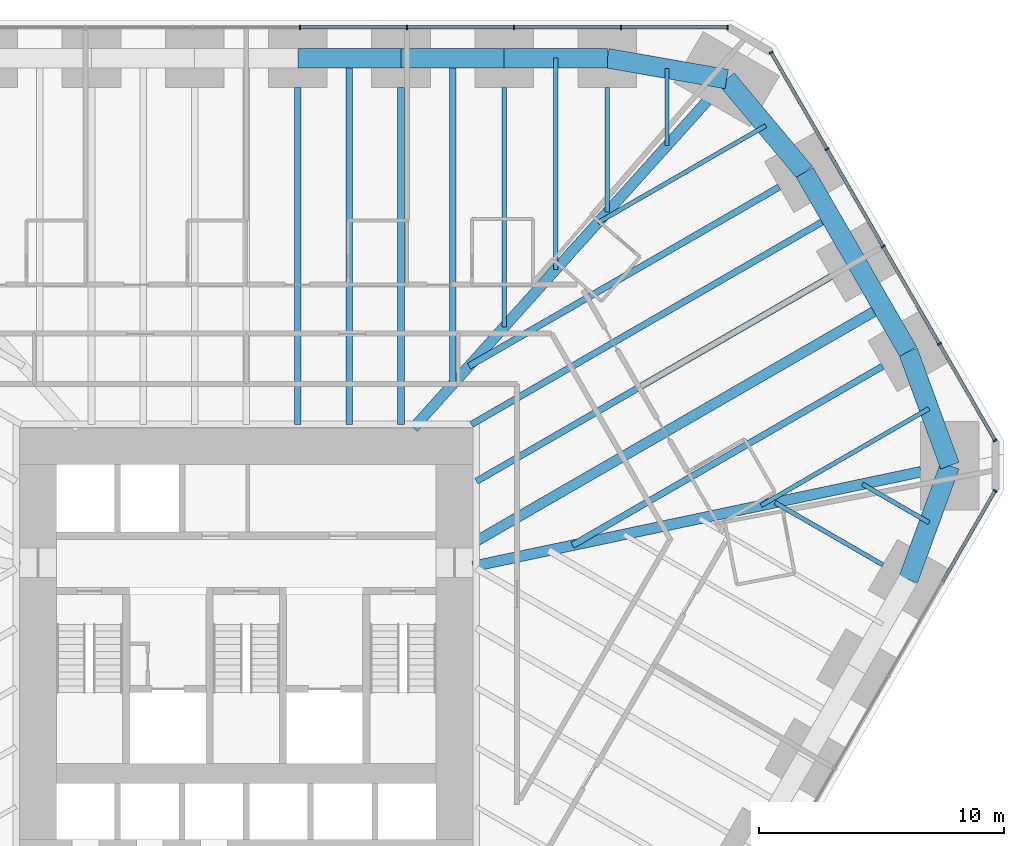
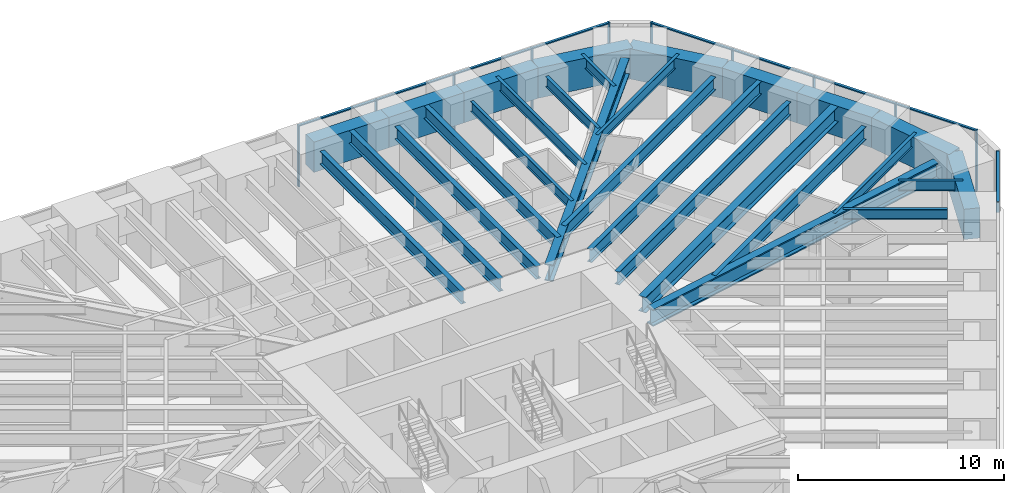
# One storey, part 9 of 17: 28 beams, 20 members, 3 elements without a shape of their own.
"""IFC4 building model written with IfcOpenShell, lengths in metres."""

from ifc_helpers import new_model, si_unit, direction, frame, origin, origin_2d, place, context, subcontext, project, spatial, rectangle, i_section, extrude, material, material_profile, profile_set, type_object, element, aggregate, save


model = new_model("IFC4")

# Units and contexts
model_context = context("Model", 3, precision=1e-05, world=origin(), true_north=direction((0.0, 1.0)))
body_context = subcontext(model_context, "Body", "Model", "MODEL_VIEW")
ifc_project = project(units=[si_unit("LENGTHUNIT", "METRE"), si_unit("AREAUNIT", "SQUARE_METRE"), si_unit("VOLUMEUNIT", "CUBIC_METRE"), si_unit("PLANEANGLEUNIT", "RADIAN"), si_unit("MASSUNIT", "GRAM", prefix="KILO")], contexts=[model_context])

# Site, building, storey
site_placement = place(None, origin())
site = spatial("IfcSite", under=ifc_project, at=site_placement, CompositionType="ELEMENT")
building_placement = place(site_placement, origin())
building = spatial("IfcBuilding", under=site, at=building_placement, Name="Sandreach Pilgrim Tower", CompositionType="ELEMENT")
storey_placement = place(building_placement, frame((0.0, 0.0, 42.0)))
storey = spatial("IfcBuildingStorey", under=building, at=storey_placement, Name="L09", CompositionType="ELEMENT", Elevation=42.0)

# Curtain wall, members
ifc_material_1 = material(Name="Aluminium framed curtain wall", Category="aluminium")
curtain_wall_type = type_object("IfcCurtainWallType", Name="Hostel tower curtain wall", PredefinedType="NOTDEFINED", material=ifc_material_1)
curtain_wall_1_placement = place(storey_placement, origin())
curtain_wall_1 = element("IfcCurtainWall", 1, at=curtain_wall_1_placement, inside=storey, type_object=curtain_wall_type, Name="CW-1 L09 N", PredefinedType="NOTDEFINED")
ifc_material_2 = material(Name="Aluminium extrusion", Category="aluminium")
ifc_material_profile_1 = material_profile(ifc_material_2, rectangle(XDim=0.06494140625, YDim=0.179931640625, at=origin_2d()), Name="CW-1M 65X180")
ifc_profile_set_1 = profile_set([ifc_material_profile_1], Name="Aluminium extrusion")
member_type_1 = type_object("IfcMemberType", Name="CW-1 mullion", PredefinedType="MULLION", material=ifc_profile_set_1)
member_1_placement = place(storey_placement, frame((2.185791015625, 23.94873046875, 0.0), z_axis=(0.0, 0.0, 1.0), x_axis=(1.0, 0.0, 0.0)))
member_1 = element("IfcMember", 2, at=member_1_placement, type_object=member_type_1, Name="CW-1 mullion 6", PredefinedType="MULLION", context=body_context, shape_type="SweptSolid", body=[
    extrude(rectangle(XDim=0.06494140625, YDim=0.179931640625, at=origin_2d()), origin(), (0.0, 0.0, 1.0), 3.639892578125),
])
member_2_placement = place(storey_placement, frame((6.557373046875, 23.94873046875, 0.0), z_axis=(0.0, 0.0, 1.0), x_axis=(1.0, 0.0, 0.0)))
member_2 = element("IfcMember", 3, at=member_2_placement, type_object=member_type_1, Name="CW-1 mullion 7", PredefinedType="MULLION", context=body_context, shape_type="SweptSolid", body=[
    extrude(rectangle(XDim=0.06494140625, YDim=0.179931640625, at=origin_2d()), origin(), (0.0, 0.0, 1.0), 3.639892578125),
])
member_3_placement = place(storey_placement, frame((10.928955078125, 23.94873046875, 0.0), z_axis=(0.0, 0.0, 1.0), x_axis=(1.0, 0.0, 0.0)))
member_3 = element("IfcMember", 4, at=member_3_placement, type_object=member_type_1, Name="CW-1 mullion 8", PredefinedType="MULLION", context=body_context, shape_type="SweptSolid", body=[
    extrude(rectangle(XDim=0.06494140625, YDim=0.179931640625, at=origin_2d()), origin(), (0.0, 0.0, 1.0), 3.639892578125),
])
member_4_placement = place(storey_placement, frame((15.300537109375, 23.94873046875, 0.0), z_axis=(0.0, 0.0, 1.0), x_axis=(1.0, 0.0, 0.0)))
member_4 = element("IfcMember", 5, at=member_4_placement, type_object=member_type_1, Name="CW-1 mullion 9", PredefinedType="MULLION", context=body_context, shape_type="SweptSolid", body=[
    extrude(rectangle(XDim=0.06494140625, YDim=0.179931640625, at=origin_2d()), origin(), (0.0, 0.0, 1.0), 3.639892578125),
])
member_5_placement = place(storey_placement, frame((19.6396484375, 23.94873046875, 0.0), z_axis=(0.0, 0.0, 1.0), x_axis=(1.0, 0.0, 0.0)))
member_5 = element("IfcMember", 6, at=member_5_placement, type_object=member_type_1, Name="CW-1 mullion 10", PredefinedType="MULLION", context=body_context, shape_type="SweptSolid", body=[
    extrude(rectangle(XDim=0.06494140625, YDim=0.179931640625, at=origin_2d()), origin(), (0.0, 0.0, 1.0), 3.639892578125),
])

curtain_wall_2_placement = place(storey_placement, origin())
curtain_wall_2 = element("IfcCurtainWall", 7, at=curtain_wall_2_placement, inside=storey, type_object=curtain_wall_type, Name="CW-1 L09 NE", PredefinedType="NOTDEFINED")
member_6_placement = place(storey_placement, frame((21.42041015625, 22.920654296875, 0.0), z_axis=(0.0, 0.0, 1.0), x_axis=(0.5, -0.866025403784, 0.0)))
member_6 = element("IfcMember", 8, at=member_6_placement, type_object=member_type_1, Name="CW-1 mullion 1", PredefinedType="MULLION", context=body_context, shape_type="SweptSolid", body=[
    extrude(rectangle(XDim=0.06494140625, YDim=0.179931640625, at=origin_2d()), origin(), (0.0, 0.0, 1.0), 3.639892578125),
])
member_7_placement = place(storey_placement, frame((23.697265625, 18.97705078125, 0.0), z_axis=(0.0, 0.0, 1.0), x_axis=(0.5, -0.866025403784, 0.0)))
member_7 = element("IfcMember", 9, at=member_7_placement, type_object=member_type_1, Name="CW-1 mullion 2", PredefinedType="MULLION", context=body_context, shape_type="SweptSolid", body=[
    extrude(rectangle(XDim=0.06494140625, YDim=0.179931640625, at=origin_2d()), origin(), (0.0, 0.0, 1.0), 3.639892578125),
])
member_8_placement = place(storey_placement, frame((25.990234375, 15.00537109375, 0.0), z_axis=(0.0, 0.0, 1.0), x_axis=(0.5, -0.866025403784, 0.0)))
member_8 = element("IfcMember", 10, at=member_8_placement, type_object=member_type_1, Name="CW-1 mullion 3", PredefinedType="MULLION", context=body_context, shape_type="SweptSolid", body=[
    extrude(rectangle(XDim=0.06494140625, YDim=0.179931640625, at=origin_2d()), origin(), (0.0, 0.0, 1.0), 3.639892578125),
])
member_9_placement = place(storey_placement, frame((28.283203125, 11.03369140625, 0.0), z_axis=(0.0, 0.0, 1.0), x_axis=(0.5, -0.866025403784, 0.0)))
member_9 = element("IfcMember", 11, at=member_9_placement, type_object=member_type_1, Name="CW-1 mullion 4", PredefinedType="MULLION", context=body_context, shape_type="SweptSolid", body=[
    extrude(rectangle(XDim=0.06494140625, YDim=0.179931640625, at=origin_2d()), origin(), (0.0, 0.0, 1.0), 3.639892578125),
])
member_10_placement = place(storey_placement, frame((30.56005859375, 7.09033203125, 0.0), z_axis=(0.0, 0.0, 1.0), x_axis=(0.5, -0.866025403784, 0.0)))
member_10 = element("IfcMember", 12, at=member_10_placement, type_object=member_type_1, Name="CW-1 mullion 5", PredefinedType="MULLION", context=body_context, shape_type="SweptSolid", body=[
    extrude(rectangle(XDim=0.06494140625, YDim=0.179931640625, at=origin_2d()), origin(), (0.0, 0.0, 1.0), 3.639892578125),
])

# Curtain wall, member
curtain_wall_3_placement = place(storey_placement, origin())
curtain_wall_3 = element("IfcCurtainWall", 13, at=curtain_wall_3_placement, inside=storey, type_object=curtain_wall_type, Name="CW-1 L09 SE", PredefinedType="NOTDEFINED")
member_11_placement = place(storey_placement, frame((30.56005859375, 5.033935546875, 0.0), z_axis=(0.0, 0.0, 1.0), x_axis=(-0.5, -0.866025403784, 0.0)))
member_11 = element("IfcMember", 14, at=member_11_placement, type_object=member_type_1, Name="CW-1 mullion 1", PredefinedType="MULLION", context=body_context, shape_type="SweptSolid", body=[
    extrude(rectangle(XDim=0.06494140625, YDim=0.179931640625, at=origin_2d()), origin(), (0.0, 0.0, 1.0), 3.639892578125),
])

# Member
ifc_material_3 = material(Name="Aluminium extrusion", Category="aluminium")
ifc_material_profile_2 = material_profile(ifc_material_3, rectangle(XDim=0.139892578125, YDim=0.070068359375, at=origin_2d()), Name="CW-1T 140X70")
ifc_profile_set_2 = profile_set([ifc_material_profile_2], Name="Aluminium extrusion")
member_type_2 = type_object("IfcMemberType", Name="CW-1 transom", PredefinedType="USERDEFINED", material=ifc_profile_set_2)
member_12_placement = place(storey_placement, frame((2.21826171875, 23.94873046875, 3.60498046875), z_axis=(1.0, 0.0, 0.0), x_axis=(0.0, 1.0, 0.0)))
member_12 = element("IfcMember", 15, at=member_12_placement, type_object=member_type_2, Name="CW-1 head transom 6", ObjectType="TRANSOM", PredefinedType="USERDEFINED", context=body_context, shape_type="SweptSolid", body=[
    extrude(rectangle(XDim=0.139892578125, YDim=0.070068359375, at=origin_2d()), origin(), (0.0, 0.0, 1.0), 4.306640625),
])

member_13_placement = place(storey_placement, frame((6.58984375, 23.94873046875, 3.60498046875), z_axis=(1.0, 0.0, 0.0), x_axis=(0.0, 1.0, 0.0)))
member_13 = element("IfcMember", 16, at=member_13_placement, type_object=member_type_2, Name="CW-1 head transom 7", ObjectType="TRANSOM", PredefinedType="USERDEFINED", context=body_context, shape_type="SweptSolid", body=[
    extrude(rectangle(XDim=0.139892578125, YDim=0.070068359375, at=origin_2d()), origin(), (0.0, 0.0, 1.0), 4.306640625),
])

member_14_placement = place(storey_placement, frame((10.96142578125, 23.94873046875, 3.60498046875), z_axis=(1.0, 0.0, 0.0), x_axis=(0.0, 1.0, 0.0)))
member_14 = element("IfcMember", 17, at=member_14_placement, type_object=member_type_2, Name="CW-1 head transom 8", ObjectType="TRANSOM", PredefinedType="USERDEFINED", context=body_context, shape_type="SweptSolid", body=[
    extrude(rectangle(XDim=0.139892578125, YDim=0.070068359375, at=origin_2d()), origin(), (0.0, 0.0, 1.0), 4.306640625),
])

member_15_placement = place(storey_placement, frame((15.3330078125, 23.94873046875, 3.60498046875), z_axis=(1.0, 0.0, 0.0), x_axis=(0.0, 1.0, 0.0)))
member_15 = element("IfcMember", 18, at=member_15_placement, type_object=member_type_2, Name="CW-1 head transom 9", ObjectType="TRANSOM", PredefinedType="USERDEFINED", context=body_context, shape_type="SweptSolid", body=[
    extrude(rectangle(XDim=0.139892578125, YDim=0.070068359375, at=origin_2d()), origin(), (0.0, 0.0, 1.0), 4.274169921875),
])

aggregate(curtain_wall_1, [member_1, member_2, member_3, member_4, member_5, member_12, member_13, member_14, member_15])

member_16_placement = place(storey_placement, frame((21.4365234375, 22.892333984375, 3.60498046875), z_axis=(0.500017500808, -0.866015299452, 0.0), x_axis=(0.866015299452, 0.500017500808, 0.0)))
member_16 = element("IfcMember", 19, at=member_16_placement, type_object=member_type_2, Name="CW-1 head transom 1", ObjectType="TRANSOM", PredefinedType="USERDEFINED", context=body_context, shape_type="SweptSolid", body=[
    extrude(rectangle(XDim=0.139892578125, YDim=0.070068359375, at=origin_2d()), origin(), (0.0, 0.0, 1.0), 4.488525390625),
])

member_17_placement = place(storey_placement, frame((23.71337890625, 18.948974609375, 3.60498046875), z_axis=(0.500001366228, -0.866024614991, 0.0), x_axis=(0.866024614991, 0.500001366228, 0.0)))
member_17 = element("IfcMember", 20, at=member_17_placement, type_object=member_type_2, Name="CW-1 head transom 2", ObjectType="TRANSOM", PredefinedType="USERDEFINED", context=body_context, shape_type="SweptSolid", body=[
    extrude(rectangle(XDim=0.139892578125, YDim=0.070068359375, at=origin_2d()), origin(), (0.0, 0.0, 1.0), 4.52099609375),
])

member_18_placement = place(storey_placement, frame((26.00634765625, 14.977294921875, 3.60498046875), z_axis=(0.500001366228, -0.866024614991, 0.0), x_axis=(0.866024614991, 0.500001366228, 0.0)))
member_18 = element("IfcMember", 21, at=member_18_placement, type_object=member_type_2, Name="CW-1 head transom 3", ObjectType="TRANSOM", PredefinedType="USERDEFINED", context=body_context, shape_type="SweptSolid", body=[
    extrude(rectangle(XDim=0.139892578125, YDim=0.070068359375, at=origin_2d()), origin(), (0.0, 0.0, 1.0), 4.52099609375),
])

member_19_placement = place(storey_placement, frame((28.299560546875, 11.005615234375, 3.60498046875), z_axis=(0.499976706761, -0.866038851724, 0.0), x_axis=(0.866038851724, 0.499976706761, 0.0)))
member_19 = element("IfcMember", 22, at=member_19_placement, type_object=member_type_2, Name="CW-1 head transom 4", ObjectType="TRANSOM", PredefinedType="USERDEFINED", context=body_context, shape_type="SweptSolid", body=[
    extrude(rectangle(XDim=0.139892578125, YDim=0.070068359375, at=origin_2d()), origin(), (0.0, 0.0, 1.0), 4.488525390625),
])

aggregate(curtain_wall_2, [member_6, member_7, member_8, member_9, member_10, member_16, member_17, member_18, member_19])

member_20_placement = place(storey_placement, frame((30.543701171875, 5.005859375, 3.60498046875), z_axis=(-0.499991113271, -0.866030534479, 0.0), x_axis=(0.866030534479, -0.499991113271, 0.0)))
member_20 = element("IfcMember", 23, at=member_20_placement, type_object=member_type_2, Name="CW-1 head transom 1", ObjectType="TRANSOM", PredefinedType="USERDEFINED", context=body_context, shape_type="SweptSolid", body=[
    extrude(rectangle(XDim=0.139892578125, YDim=0.070068359375, at=origin_2d()), origin(), (0.0, 0.0, 1.0), 4.27392578125),
])

aggregate(curtain_wall_3, [member_11, member_20])

# Beams
ifc_material_4 = material(Name="Steel ASTM A992 Grade 50", Category="steel")
ifc_material_profile_3 = material_profile(ifc_material_4, i_section(OverallWidth=0.431884765625, OverallDepth=0.988037109375, WebThickness=0.034423828125, FlangeThickness=0.06201171875, at=origin_2d()), Name="W36X441")
ifc_profile_set_3 = profile_set([ifc_material_profile_3], Name="Steel ASTM A992 Grade 50")
beam_type_1 = type_object("IfcBeamType", Name="Corner girder W36X441", PredefinedType="BEAM", material=ifc_profile_set_3)
beam_1_placement = place(storey_placement, frame((18.8046875, 20.94189453125, 3.14599609375), z_axis=(-0.668127834846, -0.74404650144, 0.0), x_axis=(0.74404650144, -0.668127834846, 0.0)))
element("IfcBeam", 24, at=beam_1_placement, inside=storey, type_object=beam_type_1, Name="BM L09 CG09", PredefinedType="BEAM", context=body_context, shape_type="SweptSolid", body=[
    extrude(i_section(OverallWidth=0.431884765625, OverallDepth=0.988037109375, WebThickness=0.034423828125, FlangeThickness=0.06201171875, at=origin_2d()), origin(), (0.0, 0.0, 1.0), 17.931396484375),
])
ifc_material_5 = material(Name="Steel ASTM A992 Grade 50", Category="steel")
ifc_material_profile_4 = material_profile(ifc_material_5, i_section(OverallWidth=0.436767578125, OverallDepth=1.010986328125, WebThickness=0.040771484375, FlangeThickness=0.073974609375, at=origin_2d()), Name="W36X529")
ifc_profile_set_4 = profile_set([ifc_material_profile_4], Name="Steel ASTM A992 Grade 50")
beam_type_2 = type_object("IfcBeamType", Name="Corner girder W36X529", PredefinedType="BEAM", material=ifc_profile_set_4)
beam_2_placement = place(storey_placement, frame((27.53857421875, 5.814208984375, 3.134521484375), z_axis=(-0.978429884383, -0.206579189045, 0.0), x_axis=(0.206579189045, -0.978429884383, 0.0)))
element("IfcBeam", 25, at=beam_2_placement, inside=storey, type_object=beam_type_2, Name="BM L09 CG13", PredefinedType="BEAM", context=body_context, shape_type="SweptSolid", body=[
    extrude(i_section(OverallWidth=0.436767578125, OverallDepth=1.010986328125, WebThickness=0.040771484375, FlangeThickness=0.073974609375, at=origin_2d()), origin(), (0.0, 0.0, 1.0), 18.691650390625),
])
ifc_material_6 = material(Name="Steel ASTM A992 Grade 50", Category="steel")
ifc_material_profile_5 = material_profile(ifc_material_6, i_section(OverallWidth=0.1787109375, OverallDepth=0.60205078125, WebThickness=0.010986328125, FlangeThickness=0.014892578125, at=origin_2d()), Name="W24X62")
ifc_profile_set_5 = profile_set([ifc_material_profile_5], Name="Steel ASTM A992 Grade 50")
beam_type_3 = type_object("IfcBeamType", Name="Floor beam W24X62", PredefinedType="BEAM", material=ifc_profile_set_5)
beam_3_placement = place(storey_placement, frame((10.52490234375, 21.48876953125, 3.339111328125), z_axis=(0.0, -1.0, 0.0), x_axis=(1.0, 0.0, 0.0)))
element("IfcBeam", 26, at=beam_3_placement, inside=storey, type_object=beam_type_3, Name="BM L09 F07", PredefinedType="BEAM", context=body_context, shape_type="SweptSolid", body=[
    extrude(i_section(OverallWidth=0.1787109375, OverallDepth=0.60205078125, WebThickness=0.010986328125, FlangeThickness=0.014892578125, at=origin_2d()), origin(), (0.0, 0.0, 1.0), 9.767822265625),
])
beam_4_placement = place(storey_placement, frame((14.734619140625, 21.48876953125, 3.339111328125), z_axis=(0.0, -1.0, 0.0), x_axis=(1.0, 0.0, 0.0)))
element("IfcBeam", 27, at=beam_4_placement, inside=storey, type_object=beam_type_3, Name="BM L09 F08", PredefinedType="BEAM", context=body_context, shape_type="SweptSolid", body=[
    extrude(i_section(OverallWidth=0.1787109375, OverallDepth=0.60205078125, WebThickness=0.010986328125, FlangeThickness=0.014892578125, at=origin_2d()), origin(), (0.0, 0.0, 1.0), 5.079345703125),
])
beam_5_placement = place(storey_placement, frame((25.97705078125, 2.016357421875, 3.339111328125), z_axis=(-0.866027897259, 0.49999568115, 0.0), x_axis=(-0.49999568115, -0.866027897259, 0.0)))
element("IfcBeam", 28, at=beam_5_placement, inside=storey, type_object=beam_type_3, Name="BM L09 F14", PredefinedType="BEAM", context=body_context, shape_type="SweptSolid", body=[
    extrude(i_section(OverallWidth=0.1787109375, OverallDepth=0.60205078125, WebThickness=0.010986328125, FlangeThickness=0.014892578125, at=origin_2d()), origin(), (0.0, 0.0, 1.0), 5.0791015625),
])
beam_6_placement = place(storey_placement, frame((12.629638671875, 22.688720703125, 3.339111328125), z_axis=(0.0, -1.0, 0.0), x_axis=(1.0, 0.0, 0.0)))
element("IfcBeam", 29, at=beam_6_placement, inside=storey, type_object=beam_type_3, Name="BM L09 FM07", PredefinedType="BEAM", context=body_context, shape_type="SweptSolid", body=[
    extrude(i_section(OverallWidth=0.1787109375, OverallDepth=0.60205078125, WebThickness=0.010986328125, FlangeThickness=0.014892578125, at=origin_2d()), origin(), (0.0, 0.0, 1.0), 8.62353515625),
])
beam_7_placement = place(storey_placement, frame((17.17041015625, 22.26171875, 3.339111328125), z_axis=(0.0, -1.0, 0.0), x_axis=(1.0, 0.0, 0.0)))
element("IfcBeam", 30, at=beam_7_placement, inside=storey, type_object=beam_type_3, Name="BM L09 FM08", PredefinedType="BEAM", context=body_context, shape_type="SweptSolid", body=[
    extrude(i_section(OverallWidth=0.1787109375, OverallDepth=0.60205078125, WebThickness=0.010986328125, FlangeThickness=0.014892578125, at=origin_2d()), origin(), (0.0, 0.0, 1.0), 3.1396484375),
])
for number, where, z_axis, x_axis, name in (
    (31, (21.197021484375, 19.933349609375, 3.339111328125), (-0.866028778003, -0.499994155636, 0.0), (0.499994155636, -0.866028778003, 0.0), "BM L09 FM09"),
    (32, (27.861328125, 8.390380859375, 3.339111328125), (-0.866028778003, -0.499994155636, 0.0), (0.499994155636, -0.866028778003, 0.0), "BM L09 FM12"),
):
    element("IfcBeam", number, at=place(storey_placement, frame(where, z_axis=z_axis, x_axis=x_axis)), inside=storey, type_object=beam_type_3, Name=name, PredefinedType="BEAM", context=body_context, shape_type="SweptSolid", body=[
        extrude(i_section(OverallWidth=0.1787109375, OverallDepth=0.60205078125, WebThickness=0.010986328125, FlangeThickness=0.014892578125, at=origin_2d()), origin(), (0.0, 0.0, 1.0), 7.90771484375),
    ])
beam_8_placement = place(storey_placement, frame((27.864501953125, 3.7392578125, 3.339111328125), z_axis=(-0.866023718453, 0.500002919068, 0.0), x_axis=(-0.500002919068, -0.866023718453, 0.0)))
element("IfcBeam", 33, at=beam_8_placement, inside=storey, type_object=beam_type_3, Name="BM L09 FM13", PredefinedType="BEAM", context=body_context, shape_type="SweptSolid", body=[
    extrude(i_section(OverallWidth=0.1787109375, OverallDepth=0.60205078125, WebThickness=0.010986328125, FlangeThickness=0.014892578125, at=origin_2d()), origin(), (0.0, 0.0, 1.0), 3.1396484375),
])
ifc_material_7 = material(Name="Steel ASTM A992 Grade 50", Category="steel")
ifc_material_profile_6 = material_profile(ifc_material_7, i_section(OverallWidth=0.2666015625, OverallDepth=0.761962890625, WebThickness=0.014404296875, FlangeThickness=0.021484375, at=origin_2d()), Name="W30X116")
ifc_profile_set_6 = profile_set([ifc_material_profile_6], Name="Steel ASTM A992 Grade 50")
beam_type_4 = type_object("IfcBeamType", Name="Floor beam W30X116", PredefinedType="BEAM", material=ifc_profile_set_6)
for number, where, z_axis, x_axis, name in (
    (34, (2.10498046875, 21.48876953125, 3.259033203125), (0.0, -1.0, 0.0), (1.0, 0.0, 0.0), "BM L09 F05"),
    (35, (6.31494140625, 21.48876953125, 3.259033203125), (0.0, -1.0, 0.0), (1.0, 0.0, 0.0), "BM L09 F06"),
):
    element("IfcBeam", number, at=place(storey_placement, frame(where, z_axis=z_axis, x_axis=x_axis)), inside=storey, type_object=beam_type_4, Name=name, PredefinedType="BEAM", context=body_context, shape_type="SweptSolid", body=[
        extrude(i_section(OverallWidth=0.2666015625, OverallDepth=0.761962890625, WebThickness=0.014404296875, FlangeThickness=0.021484375, at=origin_2d()), origin(), (0.0, 0.0, 1.0), 13.745361328125),
    ])
for number, where, z_axis, x_axis, name in (
    (36, (21.74853515625, 17.43212890625, 3.259033203125), (-0.866020355572, -0.500008743658, 0.0), (0.500008743658, -0.866020355572, 0.0), "BM L09 F10"),
    (37, (25.970947265625, 10.118896484375, 3.259033203125), (-0.866020355572, -0.500008743658, 0.0), (0.500008743658, -0.866020355572, 0.0), "BM L09 F12"),
):
    element("IfcBeam", number, at=place(storey_placement, frame(where, z_axis=z_axis, x_axis=x_axis)), inside=storey, type_object=beam_type_4, Name=name, PredefinedType="BEAM", context=body_context, shape_type="SweptSolid", body=[
        extrude(i_section(OverallWidth=0.2666015625, OverallDepth=0.761962890625, WebThickness=0.014404296875, FlangeThickness=0.021484375, at=origin_2d()), origin(), (0.0, 0.0, 1.0), 14.615966796875),
    ])
beam_9_placement = place(storey_placement, frame((4.2099609375, 22.688720703125, 3.259033203125), z_axis=(0.0, -1.0, 0.0), x_axis=(1.0, 0.0, 0.0)))
element("IfcBeam", 38, at=beam_9_placement, inside=storey, type_object=beam_type_4, Name="BM L09 FM05", PredefinedType="BEAM", context=body_context, shape_type="SweptSolid", body=[
    extrude(i_section(OverallWidth=0.2666015625, OverallDepth=0.761962890625, WebThickness=0.014404296875, FlangeThickness=0.021484375, at=origin_2d()), origin(), (0.0, 0.0, 1.0), 14.9453125),
])
beam_10_placement = place(storey_placement, frame((8.419921875, 22.688720703125, 3.259033203125), z_axis=(0.0, -1.0, 0.0), x_axis=(1.0, 0.0, 0.0)))
element("IfcBeam", 39, at=beam_10_placement, inside=storey, type_object=beam_type_4, Name="BM L09 FM06", PredefinedType="BEAM", context=body_context, shape_type="SweptSolid", body=[
    extrude(i_section(OverallWidth=0.2666015625, OverallDepth=0.761962890625, WebThickness=0.014404296875, FlangeThickness=0.021484375, at=origin_2d()), origin(), (0.0, 0.0, 1.0), 13.311767578125),
])
ifc_material_8 = material(Name="Steel ASTM A992 Grade 50", Category="steel")
ifc_material_profile_7 = material_profile(ifc_material_8, i_section(OverallWidth=0.2666015625, OverallDepth=0.77978515625, WebThickness=0.0166015625, FlangeThickness=0.030029296875, at=origin_2d()), Name="W30X148")
ifc_profile_set_7 = profile_set([ifc_material_profile_7], Name="Steel ASTM A992 Grade 50")
beam_type_5 = type_object("IfcBeamType", Name="Floor beam W30X148", PredefinedType="BEAM", material=ifc_profile_set_7)
beam_11_placement = place(storey_placement, frame((23.85986328125, 13.775390625, 3.25), z_axis=(-0.866031037473, -0.499990242038, 0.0), x_axis=(0.499990242038, -0.866031037473, 0.0)))
element("IfcBeam", 40, at=beam_11_placement, inside=storey, type_object=beam_type_5, Name="BM L09 F11", PredefinedType="BEAM", context=body_context, shape_type="SweptSolid", body=[
    extrude(i_section(OverallWidth=0.2666015625, OverallDepth=0.77978515625, WebThickness=0.0166015625, FlangeThickness=0.030029296875, at=origin_2d()), origin(), (0.0, 0.0, 1.0), 16.704345703125),
])
beam_12_placement = place(storey_placement, frame((23.843505859375, 16.203857421875, 3.25), z_axis=(-0.866027248123, -0.499996805499, 0.0), x_axis=(0.499996805499, -0.866027248123, 0.0)))
element("IfcBeam", 41, at=beam_12_placement, inside=storey, type_object=beam_type_5, Name="BM L09 FM10", PredefinedType="BEAM", context=body_context, shape_type="SweptSolid", body=[
    extrude(i_section(OverallWidth=0.2666015625, OverallDepth=0.77978515625, WebThickness=0.0166015625, FlangeThickness=0.030029296875, at=origin_2d()), origin(), (0.0, 0.0, 1.0), 16.9208984375),
])
ifc_material_9 = material(Name="Steel ASTM A992 Grade 50", Category="steel")
ifc_material_profile_8 = material_profile(ifc_material_9, i_section(OverallWidth=0.419189453125, OverallDepth=0.927001953125, WebThickness=0.019287109375, FlangeThickness=0.031982421875, at=origin_2d()), Name="W36X231")
ifc_profile_set_8 = profile_set([ifc_material_profile_8], Name="Steel ASTM A992 Grade 50")
beam_type_6 = type_object("IfcBeamType", Name="Floor beam W36X231", PredefinedType="BEAM", material=ifc_profile_set_8)
beam_13_placement = place(storey_placement, frame((25.95458984375, 12.547119140625, 3.176513671875), z_axis=(-0.866028474707, -0.499994680968, 0.0), x_axis=(0.499994680968, -0.866028474707, 0.0)))
element("IfcBeam", 42, at=beam_13_placement, inside=storey, type_object=beam_type_6, Name="BM L09 FM11", PredefinedType="BEAM", context=body_context, shape_type="SweptSolid", body=[
    extrude(i_section(OverallWidth=0.419189453125, OverallDepth=0.927001953125, WebThickness=0.019287109375, FlangeThickness=0.031982421875, at=origin_2d()), origin(), (0.0, 0.0, 1.0), 19.123291015625),
])
ifc_material_10 = material(Name="Concrete 10000 psi", Category="concrete")
ifc_material_profile_9 = material_profile(ifc_material_10, rectangle(XDim=0.800048828125, YDim=1.800048828125, at=origin_2d()), Name="RC800X1800")
ifc_profile_set_9 = profile_set([ifc_material_profile_9], Name="Concrete 10000 psi")
beam_type_7 = type_object("IfcBeamType", Name="Spandrel beam RC800X1800", PredefinedType="SPANDREL", material=ifc_profile_set_9)
for number, where, z_axis, x_axis, name in (
    (43, (2.10498046875, 22.688720703125, 2.739990234375), (1.0, 0.0, 0.0), (0.0, 1.0, 0.0), "BM L09 SP05"),
    (44, (6.31494140625, 22.688720703125, 2.739990234375), (1.0, 0.0, 0.0), (0.0, 1.0, 0.0), "BM L09 SP06"),
):
    element("IfcBeam", number, at=place(storey_placement, frame(where, z_axis=z_axis, x_axis=x_axis)), inside=storey, type_object=beam_type_7, Name=name, PredefinedType="SPANDREL", context=body_context, shape_type="SweptSolid", body=[
        extrude(rectangle(XDim=0.800048828125, YDim=1.800048828125, at=origin_2d()), origin(), (0.0, 0.0, 1.0), 4.2099609375),
    ])
beam_14_placement = place(storey_placement, frame((10.52490234375, 22.688720703125, 2.739990234375), z_axis=(1.0, 0.0, 0.0), x_axis=(0.0, 1.0, 0.0)))
element("IfcBeam", 45, at=beam_14_placement, inside=storey, type_object=beam_type_7, Name="BM L09 SP07", PredefinedType="SPANDREL", context=body_context, shape_type="SweptSolid", body=[
    extrude(rectangle(XDim=0.800048828125, YDim=1.800048828125, at=origin_2d()), origin(), (0.0, 0.0, 1.0), 4.209716796875),
])
beam_15_placement = place(storey_placement, frame((14.734619140625, 22.688720703125, 2.739990234375), z_axis=(0.984981186582, -0.172661698355, 0.0), x_axis=(0.172661698355, 0.984981186582, 0.0)))
element("IfcBeam", 46, at=beam_15_placement, inside=storey, type_object=beam_type_7, Name="BM L09 SP08", PredefinedType="SPANDREL", context=body_context, shape_type="SweptSolid", body=[
    extrude(rectangle(XDim=0.800048828125, YDim=1.800048828125, at=origin_2d()), origin(), (0.0, 0.0, 1.0), 4.946044921875),
])
beam_16_placement = place(storey_placement, frame((19.6064453125, 21.834716796875, 2.739990234375), z_axis=(0.641665295114, -0.766984777584, 0.0), x_axis=(0.766984777584, 0.641665295114, 0.0)))
element("IfcBeam", 47, at=beam_16_placement, inside=storey, type_object=beam_type_7, Name="BM L09 SP09", PredefinedType="SPANDREL", context=body_context, shape_type="SweptSolid", body=[
    extrude(rectangle(XDim=0.800048828125, YDim=1.800048828125, at=origin_2d()), origin(), (0.0, 0.0, 1.0), 4.9580078125),
])
beam_17_placement = place(storey_placement, frame((22.787841796875, 18.031982421875, 2.739990234375), z_axis=(0.500001084989, -0.866024777365, 0.0), x_axis=(0.866024777365, 0.500001084989, 0.0)))
element("IfcBeam", 48, at=beam_17_placement, inside=storey, type_object=beam_type_7, Name="BM L09 SP10", PredefinedType="SPANDREL", context=body_context, shape_type="SweptSolid", body=[
    extrude(rectangle(XDim=0.800048828125, YDim=1.800048828125, at=origin_2d()), origin(), (0.0, 0.0, 1.0), 4.22216796875),
])
beam_18_placement = place(storey_placement, frame((24.89892578125, 14.37548828125, 2.739990234375), z_axis=(0.500019412692, -0.866014195571, 0.0), x_axis=(0.866014195571, 0.500019412692, 0.0)))
element("IfcBeam", 49, at=beam_18_placement, inside=storey, type_object=beam_type_7, Name="BM L09 SP11", PredefinedType="SPANDREL", context=body_context, shape_type="SweptSolid", body=[
    extrude(rectangle(XDim=0.800048828125, YDim=1.800048828125, at=origin_2d()), origin(), (0.0, 0.0, 1.0), 4.222412109375),
])
beam_19_placement = place(storey_placement, frame((27.01025390625, 10.71875, 2.739990234375), z_axis=(0.343367552823, -0.939201109278, 0.0), x_axis=(0.939201109278, 0.343367552823, 0.0)))
element("IfcBeam", 50, at=beam_19_placement, inside=storey, type_object=beam_type_7, Name="BM L09 SP12", PredefinedType="SPANDREL", context=body_context, shape_type="SweptSolid", body=[
    extrude(rectangle(XDim=0.800048828125, YDim=1.800048828125, at=origin_2d()), origin(), (0.0, 0.0, 1.0), 4.9580078125),
])
beam_20_placement = place(storey_placement, frame((28.712646484375, 6.062255859375, 2.739990234375), z_axis=(-0.342963480301, -0.939348737786, 0.0), x_axis=(0.939348737786, -0.342963480301, 0.0)))
element("IfcBeam", 51, at=beam_20_placement, inside=storey, type_object=beam_type_7, Name="BM L09 SP13", PredefinedType="SPANDREL", context=body_context, shape_type="SweptSolid", body=[
    extrude(rectangle(XDim=0.800048828125, YDim=1.800048828125, at=origin_2d()), origin(), (0.0, 0.0, 1.0), 4.946044921875),
])

save(model, "model.ifc")
